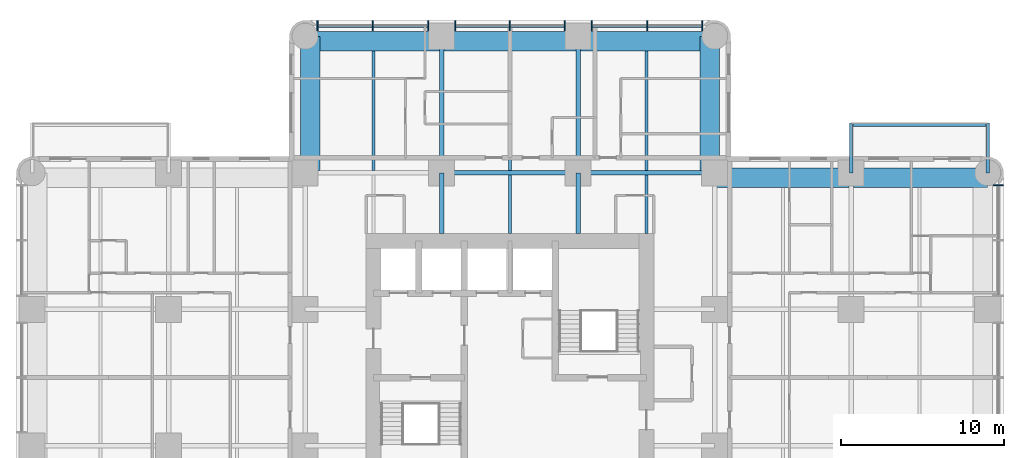
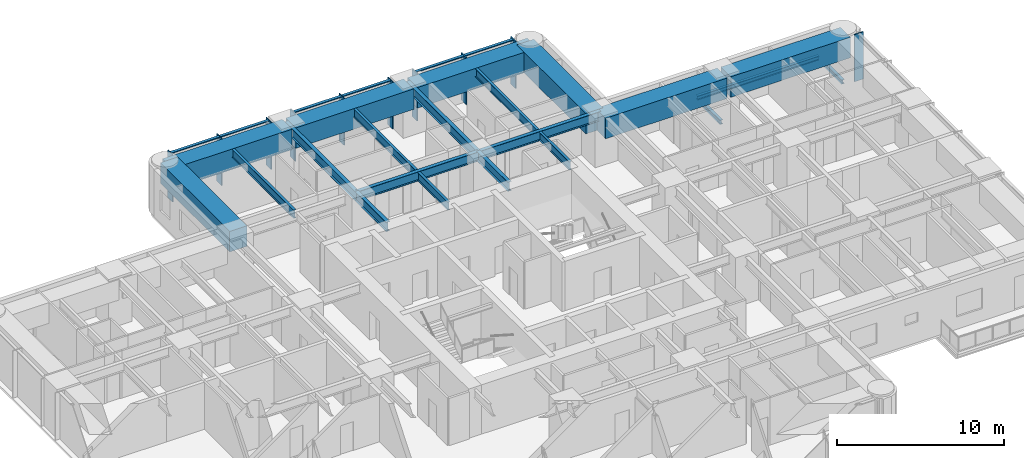
# One storey, part 4 of 15: 21 beams, 16 members, 2 elements without a shape of their own.
"""IFC4 building model written with IfcOpenShell, lengths in metres."""

from ifc_helpers import new_model, si_unit, direction, frame, origin, origin_2d, place, context, subcontext, project, spatial, rectangle, i_section, extrude, material, material_profile, profile_set, type_object, element, aggregate, save


model = new_model("IFC4")

# Units and contexts
model_context = context("Model", 3, precision=1e-05, world=origin(), true_north=direction((0.0, 1.0)))
body_context = subcontext(model_context, "Body", "Model", "MODEL_VIEW")
ifc_project = project(units=[si_unit("LENGTHUNIT", "METRE"), si_unit("AREAUNIT", "SQUARE_METRE"), si_unit("VOLUMEUNIT", "CUBIC_METRE"), si_unit("PLANEANGLEUNIT", "RADIAN"), si_unit("MASSUNIT", "GRAM", prefix="KILO")], contexts=[model_context])

# Site, building, storey
site_placement = place(None, origin())
site = spatial("IfcSite", under=ifc_project, at=site_placement, CompositionType="ELEMENT")
building_placement = place(site_placement, origin())
building = spatial("IfcBuilding", under=site, at=building_placement, Name="Torre Alcanfor", CompositionType="ELEMENT")
storey_placement = place(building_placement, frame((0.0, 0.0, 148.5)))
storey = spatial("IfcBuildingStorey", under=building, at=storey_placement, Name="L38", CompositionType="ELEMENT", Elevation=148.5)

# Beams
ifc_material_1 = material(Name="Steel ASTM A992 Grade 50", Category="steel")
ifc_material_profile_1 = material_profile(ifc_material_1, i_section(OverallWidth=0.205322265625, OverallDepth=0.309814453125, WebThickness=0.00927734375, FlangeThickness=0.016357421875, at=origin_2d()), Name="W12x50")
ifc_profile_set_1 = profile_set([ifc_material_profile_1], Name="Steel ASTM A992 Grade 50")
beam_type_1 = type_object("IfcBeamType", Name="Balcony cantilever beam W12x50", PredefinedType="BEAM", material=ifc_profile_set_1)
for number, where, z_axis, x_axis, name in (
    (1, (50.39990234375, 42.0, -0.35498046875), (0.0, 1.0, 0.0), (-1.0, 0.0, 0.0), "Balcony cantilever beam L38-E1 1"),
    (2, (58.800048828125, 42.0, -0.35498046875), (0.0, 1.0, 0.0), (-1.0, 0.0, 0.0), "Balcony cantilever beam L38-E1 2"),
):
    element("IfcBeam", number, at=place(storey_placement, frame(where, z_axis=z_axis, x_axis=x_axis)), inside=storey, type_object=beam_type_1, Name=name, PredefinedType="BEAM", context=body_context, shape_type="SweptSolid", body=[
        extrude(i_section(OverallWidth=0.205322265625, OverallDepth=0.309814453125, WebThickness=0.00927734375, FlangeThickness=0.016357421875, at=origin_2d()), origin(), (0.0, 0.0, 1.0), 3.050048828125),
    ])
ifc_material_2 = material(Name="Steel ASTM A992 Grade 50", Category="steel")
ifc_material_profile_2 = material_profile(ifc_material_2, i_section(OverallWidth=0.203369140625, OverallDepth=0.30224609375, WebThickness=0.007568359375, FlangeThickness=0.01318359375, at=origin_2d()), Name="W12x40")
ifc_profile_set_2 = profile_set([ifc_material_profile_2], Name="Steel ASTM A992 Grade 50")
beam_type_2 = type_object("IfcBeamType", Name="Balcony edge trimmer W12x40", PredefinedType="BEAM", material=ifc_profile_set_2)
beam_1_placement = place(storey_placement, frame((50.39990234375, 44.9482421875, -0.35107421875), z_axis=(1.0, 0.0, 0.0), x_axis=(0.0, 1.0, 0.0)))
element("IfcBeam", 3, at=beam_1_placement, inside=storey, type_object=beam_type_2, Name="Balcony edge trimmer L38-E1", PredefinedType="BEAM", context=body_context, shape_type="SweptSolid", body=[
    extrude(i_section(OverallWidth=0.203369140625, OverallDepth=0.30224609375, WebThickness=0.007568359375, FlangeThickness=0.01318359375, at=origin_2d()), origin(), (0.0, 0.0, 1.0), 8.400146484375),
])

# Curtain wall, member
ifc_material_3 = material(Name="Aluminium and glass", Category="aluminium")
curtain_wall_type = type_object("IfcCurtainWallType", Name="CW-A unitised apartment glazing with vertical FIN", PredefinedType="NOTDEFINED", material=ifc_material_3)
curtain_wall_1_placement = place(storey_placement, origin())
curtain_wall_1 = element("IfcCurtainWall", 4, at=curtain_wall_1_placement, inside=storey, type_object=curtain_wall_type, Name="Curtain wall CW-A L38 8", PredefinedType="NOTDEFINED")
ifc_material_4 = material(Name="Bronze anodised aluminium", Category="aluminium")
ifc_material_profile_3 = material_profile(ifc_material_4, rectangle(XDim=0.60009765625, YDim=0.06494140625, at=origin_2d()), Name="CW-A mullion 65x600")
ifc_profile_set_3 = profile_set([ifc_material_profile_3], Name="Bronze anodised aluminium")
member_type_1 = type_object("IfcMemberType", Name="CW-A mullion with vertical FIN 65x600", PredefinedType="MULLION", material=ifc_profile_set_3)
member_1_placement = place(storey_placement, frame((59.449951171875, 41.24267578125, 0.0), z_axis=(0.0, 0.0, 1.0), x_axis=(-1.0, 0.0, 0.0)))
member_1 = element("IfcMember", 5, at=member_1_placement, type_object=member_type_1, Name="CW-A mullion 3.3", PredefinedType="MULLION", context=body_context, shape_type="SweptSolid", body=[
    extrude(rectangle(XDim=0.60009765625, YDim=0.06494140625, at=origin_2d()), origin(), (0.0, 0.0, 1.0), 3.449951171875),
])
aggregate(curtain_wall_1, [member_1])

# Curtain wall, members
curtain_wall_2_placement = place(storey_placement, origin())
curtain_wall_2 = element("IfcCurtainWall", 6, at=curtain_wall_2_placement, inside=storey, type_object=curtain_wall_type, Name="Curtain wall CW-A L38 11", PredefinedType="NOTDEFINED")
member_2_placement = place(storey_placement, frame((41.24267578125, 51.050048828125, 0.0), z_axis=(0.0, 0.0, 1.0), x_axis=(0.0, -1.0, 0.0)))
member_2 = element("IfcMember", 7, at=member_2_placement, type_object=member_type_1, Name="CW-A mullion 1.1", PredefinedType="MULLION", context=body_context, shape_type="SweptSolid", body=[
    extrude(rectangle(XDim=0.60009765625, YDim=0.06494140625, at=origin_2d()), origin(), (0.0, 0.0, 1.0), 3.449951171875),
])
member_3_placement = place(storey_placement, frame((37.840087890625, 51.050048828125, 0.0), z_axis=(0.0, 0.0, 1.0), x_axis=(0.0, -1.0, 0.0)))
member_3 = element("IfcMember", 8, at=member_3_placement, type_object=member_type_1, Name="CW-A mullion 1.2", PredefinedType="MULLION", context=body_context, shape_type="SweptSolid", body=[
    extrude(rectangle(XDim=0.60009765625, YDim=0.06494140625, at=origin_2d()), origin(), (0.0, 0.0, 1.0), 3.449951171875),
])
member_4_placement = place(storey_placement, frame((34.4375, 51.050048828125, 0.0), z_axis=(0.0, 0.0, 1.0), x_axis=(0.0, -1.0, 0.0)))
member_4 = element("IfcMember", 9, at=member_4_placement, type_object=member_type_1, Name="CW-A mullion 1.3", PredefinedType="MULLION", context=body_context, shape_type="SweptSolid", body=[
    extrude(rectangle(XDim=0.60009765625, YDim=0.06494140625, at=origin_2d()), origin(), (0.0, 0.0, 1.0), 3.449951171875),
])
member_5_placement = place(storey_placement, frame((32.762451171875, 51.050048828125, 0.0), z_axis=(0.0, 0.0, 1.0), x_axis=(0.0, -1.0, 0.0)))
member_5 = element("IfcMember", 10, at=member_5_placement, type_object=member_type_1, Name="CW-A mullion 2.1", PredefinedType="MULLION", context=body_context, shape_type="SweptSolid", body=[
    extrude(rectangle(XDim=0.60009765625, YDim=0.06494140625, at=origin_2d()), origin(), (0.0, 0.0, 1.0), 3.449951171875),
])
member_6_placement = place(storey_placement, frame((29.39990234375, 51.050048828125, 0.0), z_axis=(0.0, 0.0, 1.0), x_axis=(0.0, -1.0, 0.0)))
member_6 = element("IfcMember", 11, at=member_6_placement, type_object=member_type_1, Name="CW-A mullion 2.2", PredefinedType="MULLION", context=body_context, shape_type="SweptSolid", body=[
    extrude(rectangle(XDim=0.60009765625, YDim=0.06494140625, at=origin_2d()), origin(), (0.0, 0.0, 1.0), 3.449951171875),
])
member_7_placement = place(storey_placement, frame((26.03759765625, 51.050048828125, 0.0), z_axis=(0.0, 0.0, 1.0), x_axis=(0.0, -1.0, 0.0)))
member_7 = element("IfcMember", 12, at=member_7_placement, type_object=member_type_1, Name="CW-A mullion 2.3", PredefinedType="MULLION", context=body_context, shape_type="SweptSolid", body=[
    extrude(rectangle(XDim=0.60009765625, YDim=0.06494140625, at=origin_2d()), origin(), (0.0, 0.0, 1.0), 3.449951171875),
])
member_8_placement = place(storey_placement, frame((24.362548828125, 51.050048828125, 0.0), z_axis=(0.0, 0.0, 1.0), x_axis=(0.0, -1.0, 0.0)))
member_8 = element("IfcMember", 13, at=member_8_placement, type_object=member_type_1, Name="CW-A mullion 3.1", PredefinedType="MULLION", context=body_context, shape_type="SweptSolid", body=[
    extrude(rectangle(XDim=0.60009765625, YDim=0.06494140625, at=origin_2d()), origin(), (0.0, 0.0, 1.0), 3.449951171875),
])
member_9_placement = place(storey_placement, frame((20.9599609375, 51.050048828125, 0.0), z_axis=(0.0, 0.0, 1.0), x_axis=(0.0, -1.0, 0.0)))
member_9 = element("IfcMember", 14, at=member_9_placement, type_object=member_type_1, Name="CW-A mullion 3.2", PredefinedType="MULLION", context=body_context, shape_type="SweptSolid", body=[
    extrude(rectangle(XDim=0.60009765625, YDim=0.06494140625, at=origin_2d()), origin(), (0.0, 0.0, 1.0), 3.449951171875),
])
member_10_placement = place(storey_placement, frame((17.557373046875, 51.050048828125, 0.0), z_axis=(0.0, 0.0, 1.0), x_axis=(0.0, -1.0, 0.0)))
member_10 = element("IfcMember", 15, at=member_10_placement, type_object=member_type_1, Name="CW-A mullion 3.3", PredefinedType="MULLION", context=body_context, shape_type="SweptSolid", body=[
    extrude(rectangle(XDim=0.60009765625, YDim=0.06494140625, at=origin_2d()), origin(), (0.0, 0.0, 1.0), 3.449951171875),
])
ifc_material_5 = material(Name="Extruded aluminium", Category="aluminium")
ifc_material_profile_4 = material_profile(ifc_material_5, rectangle(XDim=0.199951171875, YDim=0.06494140625, at=origin_2d()), Name="CW-A transom 200x65")
ifc_profile_set_4 = profile_set([ifc_material_profile_4], Name="Extruded aluminium")
member_type_2 = type_object("IfcMemberType", Name="CW-A transom 65x200", PredefinedType="USERDEFINED", material=ifc_profile_set_4)
member_11_placement = place(storey_placement, frame((41.210205078125, 51.050048828125, 3.41748046875), z_axis=(-1.0, 0.0, 0.0), x_axis=(0.0, -1.0, 0.0)))
member_11 = element("IfcMember", 16, at=member_11_placement, type_object=member_type_2, Name="CW-A transom 1.1.2", ObjectType="TRANSOM", PredefinedType="USERDEFINED", context=body_context, shape_type="SweptSolid", body=[
    extrude(rectangle(XDim=0.199951171875, YDim=0.06494140625, at=origin_2d()), origin(), (0.0, 0.0, 1.0), 3.337646484375),
])
member_12_placement = place(storey_placement, frame((37.8076171875, 51.050048828125, 3.41748046875), z_axis=(-1.0, 0.0, 0.0), x_axis=(0.0, -1.0, 0.0)))
member_12 = element("IfcMember", 17, at=member_12_placement, type_object=member_type_2, Name="CW-A transom 1.2.2", ObjectType="TRANSOM", PredefinedType="USERDEFINED", context=body_context, shape_type="SweptSolid", body=[
    extrude(rectangle(XDim=0.199951171875, YDim=0.06494140625, at=origin_2d()), origin(), (0.0, 0.0, 1.0), 3.337646484375),
])
member_13_placement = place(storey_placement, frame((32.72998046875, 51.050048828125, 3.41748046875), z_axis=(-1.0, 0.0, 0.0), x_axis=(0.0, -1.0, 0.0)))
member_13 = element("IfcMember", 18, at=member_13_placement, type_object=member_type_2, Name="CW-A transom 2.1.2", ObjectType="TRANSOM", PredefinedType="USERDEFINED", context=body_context, shape_type="SweptSolid", body=[
    extrude(rectangle(XDim=0.199951171875, YDim=0.06494140625, at=origin_2d()), origin(), (0.0, 0.0, 1.0), 3.29736328125),
])
member_14_placement = place(storey_placement, frame((29.367431640625, 51.050048828125, 3.41748046875), z_axis=(-1.0, 0.0, 0.0), x_axis=(0.0, -1.0, 0.0)))
member_14 = element("IfcMember", 19, at=member_14_placement, type_object=member_type_2, Name="CW-A transom 2.2.2", ObjectType="TRANSOM", PredefinedType="USERDEFINED", context=body_context, shape_type="SweptSolid", body=[
    extrude(rectangle(XDim=0.199951171875, YDim=0.06494140625, at=origin_2d()), origin(), (0.0, 0.0, 1.0), 3.29736328125),
])
member_15_placement = place(storey_placement, frame((24.330078125, 51.050048828125, 3.41748046875), z_axis=(-1.0, 0.0, 0.0), x_axis=(0.0, -1.0, 0.0)))
member_15 = element("IfcMember", 20, at=member_15_placement, type_object=member_type_2, Name="CW-A transom 3.1.2", ObjectType="TRANSOM", PredefinedType="USERDEFINED", context=body_context, shape_type="SweptSolid", body=[
    extrude(rectangle(XDim=0.199951171875, YDim=0.06494140625, at=origin_2d()), origin(), (0.0, 0.0, 1.0), 3.337646484375),
])
member_16_placement = place(storey_placement, frame((20.927490234375, 51.050048828125, 3.41748046875), z_axis=(-1.0, 0.0, 0.0), x_axis=(0.0, -1.0, 0.0)))
member_16 = element("IfcMember", 21, at=member_16_placement, type_object=member_type_2, Name="CW-A transom 3.2.2", ObjectType="TRANSOM", PredefinedType="USERDEFINED", context=body_context, shape_type="SweptSolid", body=[
    extrude(rectangle(XDim=0.199951171875, YDim=0.06494140625, at=origin_2d()), origin(), (0.0, 0.0, 1.0), 3.337646484375),
])
aggregate(curtain_wall_2, [member_2, member_3, member_4, member_11, member_12, member_5, member_6, member_7, member_13, member_14, member_8, member_9, member_10, member_15, member_16])

# Beams
ifc_material_6 = material(Name="Steel ASTM A992 Grade 50", Category="steel")
ifc_material_profile_5 = material_profile(ifc_material_6, i_section(OverallWidth=0.25390625, OverallDepth=0.683349609375, WebThickness=0.012451171875, FlangeThickness=0.01904296875, at=origin_2d()), Name="W27x94")
ifc_profile_set_5 = profile_set([ifc_material_profile_5], Name="Steel ASTM A992 Grade 50")
beam_type_3 = type_object("IfcBeamType", Name="Girder W27x94", PredefinedType="BEAM", material=ifc_profile_set_5)
beam_2_placement = place(storey_placement, frame((25.199951171875, 42.0, 3.1083984375), z_axis=(1.0, 0.0, 0.0), x_axis=(0.0, 1.0, 0.0)))
element("IfcBeam", 22, at=beam_2_placement, inside=storey, type_object=beam_type_3, Name="Beam 4H-5H under L39", PredefinedType="BEAM", context=body_context, shape_type="SweptSolid", body=[
    extrude(i_section(OverallWidth=0.25390625, OverallDepth=0.683349609375, WebThickness=0.012451171875, FlangeThickness=0.01904296875, at=origin_2d()), origin(), (0.0, 0.0, 1.0), 8.400146484375),
])
for number, where, z_axis, x_axis, name in (
    (23, (33.60009765625, 42.0, 3.1083984375), (1.0, 0.0, 0.0), (0.0, 1.0, 0.0), "Beam 5H-6H under L39"),
    (24, (25.199951171875, 42.0, 3.1083984375), (0.0, 1.0, 0.0), (-1.0, 0.0, 0.0), "Beam 4H-4J under L39"),
    (25, (33.60009765625, 42.0, 3.1083984375), (0.0, 1.0, 0.0), (-1.0, 0.0, 0.0), "Beam 5H-5J under L39"),
):
    element("IfcBeam", number, at=place(storey_placement, frame(where, z_axis=z_axis, x_axis=x_axis)), inside=storey, type_object=beam_type_3, Name=name, PredefinedType="BEAM", context=body_context, shape_type="SweptSolid", body=[
        extrude(i_section(OverallWidth=0.25390625, OverallDepth=0.683349609375, WebThickness=0.012451171875, FlangeThickness=0.01904296875, at=origin_2d()), origin(), (0.0, 0.0, 1.0), 8.39990234375),
    ])
ifc_material_7 = material(Name="Steel ASTM A992 Grade 50", Category="steel")
ifc_material_profile_6 = material_profile(ifc_material_7, i_section(OverallWidth=0.25390625, OverallDepth=0.683349609375, WebThickness=0.012451171875, FlangeThickness=0.01904296875, at=origin_2d()), Name="W27x94")
ifc_profile_set_6 = profile_set([ifc_material_profile_6], Name="Steel ASTM A992 Grade 50")
beam_type_4 = type_object("IfcBeamType", Name="Girder, part bay W27x94", PredefinedType="BEAM", material=ifc_profile_set_6)
for number, where, z_axis, x_axis, name in (
    (26, (25.199951171875, 42.0, 3.1083984375), (0.0, -1.0, 0.0), (1.0, 0.0, 0.0), "Beam 4H-438_25 under L39"),
    (27, (33.60009765625, 42.0, 3.1083984375), (0.0, -1.0, 0.0), (1.0, 0.0, 0.0), "Beam 5H-538_25 under L39"),
):
    element("IfcBeam", number, at=place(storey_placement, frame(where, z_axis=z_axis, x_axis=x_axis)), inside=storey, type_object=beam_type_4, Name=name, PredefinedType="BEAM", context=body_context, shape_type="SweptSolid", body=[
        extrude(i_section(OverallWidth=0.25390625, OverallDepth=0.683349609375, WebThickness=0.012451171875, FlangeThickness=0.01904296875, at=origin_2d()), origin(), (0.0, 0.0, 1.0), 3.75),
    ])
ifc_material_8 = material(Name="Concrete f'c 70 MPa", Category="concrete")
ifc_material_profile_7 = material_profile(ifc_material_8, rectangle(XDim=1.199951171875, YDim=1.5, at=origin_2d()), Name="1200x1500")
ifc_profile_set_7 = profile_set([ifc_material_profile_7], Name="Concrete f'c 70 MPa")
beam_type_5 = type_object("IfcBeamType", Name="RC perimeter beam 1200x1500", PredefinedType="BEAM", material=ifc_profile_set_7)
beam_3_placement = place(storey_placement, frame((41.873046875, 41.699951171875, 2.699951171875), z_axis=(1.0, 0.0, 0.0), x_axis=(0.0, 1.0, 0.0)))
element("IfcBeam", 28, at=beam_3_placement, inside=storey, type_object=beam_type_5, Name="Beam 6H-7H under L39", PredefinedType="BEAM", context=body_context, shape_type="SweptSolid", body=[
    extrude(rectangle(XDim=1.199951171875, YDim=1.5, at=origin_2d()), origin(), (0.0, 0.0, 1.0), 8.39990234375),
])
for number, where, z_axis, x_axis, name in (
    (29, (50.527099609375, 41.699951171875, 2.699951171875), (1.0, 0.0, 0.0), (0.0, 1.0, 0.0), "Beam 7H-8H under L39"),
    (30, (16.800048828125, 50.10009765625, 2.699951171875), (1.0, 0.0, 0.0), (0.0, 1.0, 0.0), "Beam 3J-4J under L39"),
):
    element("IfcBeam", number, at=place(storey_placement, frame(where, z_axis=z_axis, x_axis=x_axis)), inside=storey, type_object=beam_type_5, Name=name, PredefinedType="BEAM", context=body_context, shape_type="SweptSolid", body=[
        extrude(rectangle(XDim=1.199951171875, YDim=1.5, at=origin_2d()), origin(), (0.0, 0.0, 1.0), 8.27294921875),
    ])
beam_4_placement = place(storey_placement, frame((25.326904296875, 50.10009765625, 2.699951171875), z_axis=(1.0, 0.0, 0.0), x_axis=(0.0, 1.0, 0.0)))
element("IfcBeam", 31, at=beam_4_placement, inside=storey, type_object=beam_type_5, Name="Beam 4J-5J under L39", PredefinedType="BEAM", context=body_context, shape_type="SweptSolid", body=[
    extrude(rectangle(XDim=1.199951171875, YDim=1.5, at=origin_2d()), origin(), (0.0, 0.0, 1.0), 8.14599609375),
])
for number, where, z_axis, x_axis, name in (
    (32, (33.72705078125, 50.10009765625, 2.699951171875), (1.0, 0.0, 0.0), (0.0, 1.0, 0.0), "Beam 5J-6J under L39"),
    (33, (17.10009765625, 42.126953125, 2.699951171875), (0.0, 1.0, 0.0), (-1.0, 0.0, 0.0), "Beam 3H-3J under L39"),
    (34, (41.699951171875, 42.126953125, 2.699951171875), (0.0, 1.0, 0.0), (-1.0, 0.0, 0.0), "Beam 6H-6J under L39"),
):
    element("IfcBeam", number, at=place(storey_placement, frame(where, z_axis=z_axis, x_axis=x_axis)), inside=storey, type_object=beam_type_5, Name=name, PredefinedType="BEAM", context=body_context, shape_type="SweptSolid", body=[
        extrude(rectangle(XDim=1.199951171875, YDim=1.5, at=origin_2d()), origin(), (0.0, 0.0, 1.0), 8.27294921875),
    ])
ifc_material_9 = material(Name="Steel ASTM A992 Grade 50", Category="steel")
ifc_material_profile_8 = material_profile(ifc_material_9, i_section(OverallWidth=0.1787109375, OverallDepth=0.60205078125, WebThickness=0.010986328125, FlangeThickness=0.014892578125, at=origin_2d()), Name="W24x62")
ifc_profile_set_8 = profile_set([ifc_material_profile_8], Name="Steel ASTM A992 Grade 50")
beam_type_6 = type_object("IfcBeamType", Name="Secondary beam W24x62", PredefinedType="BEAM", material=ifc_profile_set_8)
for number, where, z_axis, x_axis, name in (
    (35, (21.0, 42.126953125, 3.14892578125), (0.0, 1.0, 0.0), (-1.0, 0.0, 0.0), "Beam 21H-21J under L39"),
    (36, (29.39990234375, 42.126953125, 3.14892578125), (0.0, 1.0, 0.0), (-1.0, 0.0, 0.0), "Beam 29_4H-29_4J under L39"),
    (37, (37.800048828125, 42.126953125, 3.14892578125), (0.0, 1.0, 0.0), (-1.0, 0.0, 0.0), "Beam 37_8H-37_8J under L39"),
):
    element("IfcBeam", number, at=place(storey_placement, frame(where, z_axis=z_axis, x_axis=x_axis)), inside=storey, type_object=beam_type_6, Name=name, PredefinedType="BEAM", context=body_context, shape_type="SweptSolid", body=[
        extrude(i_section(OverallWidth=0.1787109375, OverallDepth=0.60205078125, WebThickness=0.010986328125, FlangeThickness=0.014892578125, at=origin_2d()), origin(), (0.0, 0.0, 1.0), 7.373046875),
    ])
ifc_material_10 = material(Name="Steel ASTM A992 Grade 50", Category="steel")
ifc_material_profile_9 = material_profile(ifc_material_10, i_section(OverallWidth=0.1787109375, OverallDepth=0.60205078125, WebThickness=0.010986328125, FlangeThickness=0.014892578125, at=origin_2d()), Name="W24x62")
ifc_profile_set_9 = profile_set([ifc_material_profile_9], Name="Steel ASTM A992 Grade 50")
beam_type_7 = type_object("IfcBeamType", Name="Secondary beam, part bay W24x62", PredefinedType="BEAM", material=ifc_profile_set_9)
for number, where, z_axis, x_axis, name in (
    (38, (29.39990234375, 38.25, 3.14892578125), (0.0, 1.0, 0.0), (-1.0, 0.0, 0.0), "Beam 29_438_25-29_4H under L39"),
    (39, (37.800048828125, 38.25, 3.14892578125), (0.0, 1.0, 0.0), (-1.0, 0.0, 0.0), "Beam 37_838_25-37_8H under L39"),
):
    element("IfcBeam", number, at=place(storey_placement, frame(where, z_axis=z_axis, x_axis=x_axis)), inside=storey, type_object=beam_type_7, Name=name, PredefinedType="BEAM", context=body_context, shape_type="SweptSolid", body=[
        extrude(i_section(OverallWidth=0.1787109375, OverallDepth=0.60205078125, WebThickness=0.010986328125, FlangeThickness=0.014892578125, at=origin_2d()), origin(), (0.0, 0.0, 1.0), 3.623046875),
    ])

save(model, "model.ifc")
